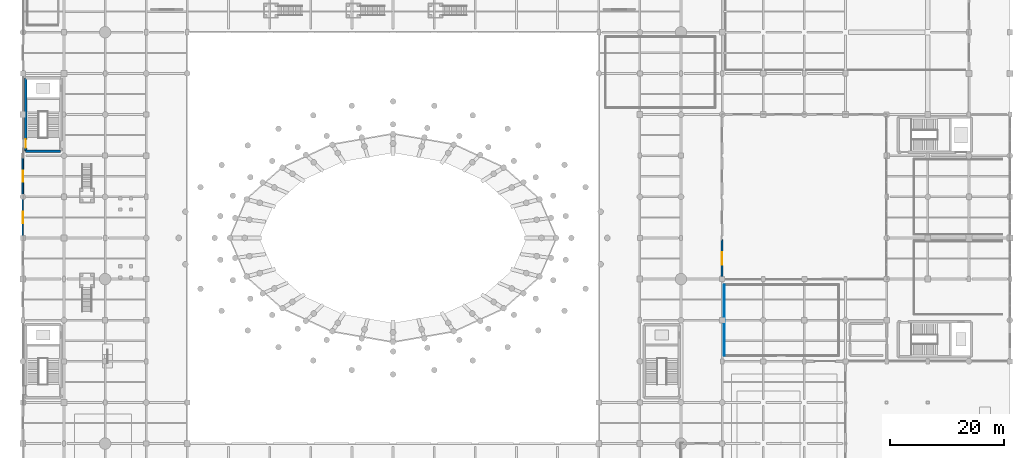
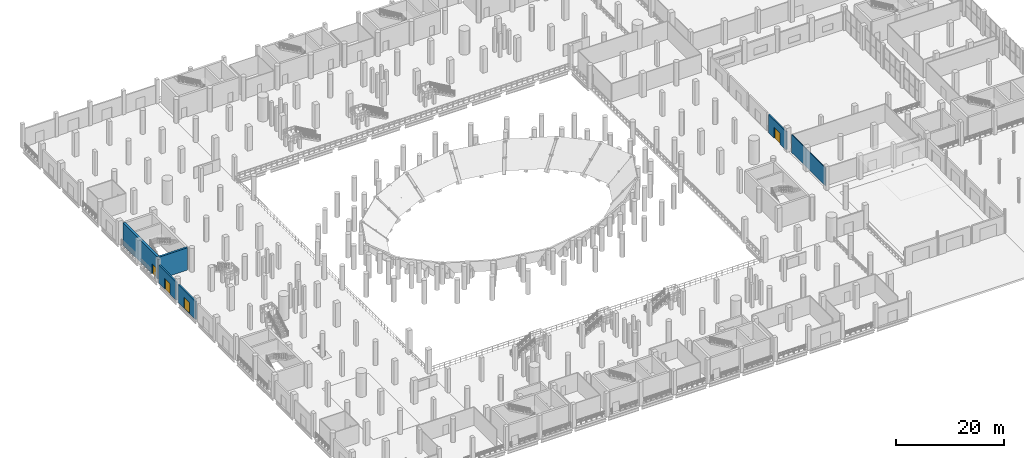
# One storey, part 35 of 58: 6 walls, 4 doors, 4 openings.
"""IFC4 building model written with IfcOpenShell, lengths in metres."""

from ifc_helpers import new_model, si_unit, direction, frame, frame_2d, origin, place, context, subcontext, project, spatial, rectangle, extrude, material, layer, layer_set, type_object, element, fill, save


model = new_model("IFC4")

# Units and contexts
model_context = context("Model", 3, precision=1e-05, world=origin(), true_north=direction((0.0, 1.0)))
body_context = subcontext(model_context, "Body", "Model", "MODEL_VIEW")
ifc_project = project(units=[si_unit("LENGTHUNIT", "METRE"), si_unit("AREAUNIT", "SQUARE_METRE"), si_unit("VOLUMEUNIT", "CUBIC_METRE"), si_unit("PLANEANGLEUNIT", "RADIAN"), si_unit("MASSUNIT", "GRAM", prefix="KILO")], contexts=[model_context])

# Site, building, storey
site_placement = place(None, origin())
site = spatial("IfcSite", under=ifc_project, at=site_placement, CompositionType="ELEMENT")
building_placement = place(site_placement, origin())
building = spatial("IfcBuilding", under=site, at=building_placement, Name="Qandorah Velis Arena", CompositionType="ELEMENT")
storey_placement = place(building_placement, origin())
storey = spatial("IfcBuildingStorey", under=building, at=storey_placement, Name="L00", CompositionType="ELEMENT", Elevation=0.0)

# Wall, opening, door
ifc_material_1 = material(Name="Precast concrete C40/50", Category="concrete")
ifc_layer_1 = layer(ifc_material_1, 0.2900390625)
ifc_layer_set_1 = layer_set([ifc_layer_1], Name="Precast concrete C40/50")
wall_type_1 = type_object("IfcWallType", Name="ARC-WAL-EXT290", PredefinedType="SOLIDWALL", material=ifc_layer_set_1)
wall_1_placement = place(storey_placement, frame((0.0, 65.14990234375, 0.0), z_axis=(0.0, 0.0, 1.0), x_axis=(0.0, 1.0, 0.0)))
wall_1 = element("IfcWall", 1, at=wall_1_placement, inside=storey, type_object=wall_type_1, Name="Perimeter concourse exit wall G07", PredefinedType="SOLIDWALL", context=body_context, shape_type="SweptSolid", body=[
    extrude(rectangle(XDim=6.5, YDim=0.2900390625, at=frame_2d((3.25, 0.0))), origin(), (0.0, 0.0, 1.0), 4.10009765625),
])
opening_1_placement = place(wall_1_placement, frame((2.25, 0.0, 0.0)))
opening_1 = element("IfcOpeningElement", 2, at=opening_1_placement, cuts=wall_1, Name="Opening G7", PredefinedType="OPENING", context=body_context, shape_type="SweptSolid", body=[
    extrude(rectangle(XDim=2.0, YDim=2.449951171875, at=frame_2d((1.0, 1.22509765625))), frame((0.0, 0.155029296875, 0.0), z_axis=(0.0, -1.0, 0.0), x_axis=(1.0, 0.0, 0.0)), (0.0, 0.0, 1.0), 0.31005859375),
])
ifc_material_2 = material(Name="Insulated galvanized steel exit door", Category="steel")
door_type_1 = type_object("IfcDoorType", Name="ARC-DR-EXT2000", OperationType="NOTDEFINED", PredefinedType="DOOR", material=ifc_material_2)
door_1_placement = place(opening_1_placement, origin())
door_1 = element("IfcDoor", 3, at=door_1_placement, inside=storey, type_object=door_type_1, Name="Pedestrian exit door G7", OperationType="SINGLE_SWING_RIGHT", OverallHeight=2.449951171875, OverallWidth=2.0, PredefinedType="DOOR", context=body_context, shape_type="SweptSolid", body=[
    extrude(rectangle(XDim=2.0, YDim=2.449951171875, at=frame_2d((1.0, 1.22509765625))), frame((0.0, 0.02490234375, 0.0), z_axis=(0.0, -1.0, 0.0), x_axis=(1.0, 0.0, 0.0)), (0.0, 0.0, 1.0), 0.050048828125),
])
fill(opening_1, door_1)

ifc_layer_2 = layer(ifc_material_1, 0.31005859375)
ifc_layer_set_2 = layer_set([ifc_layer_2], Name="Precast concrete C40/50")
wall_type_2 = type_object("IfcWallType", Name="ARC-WAL-EXT310", PredefinedType="SOLIDWALL", material=ifc_layer_set_2)
wall_2_placement = place(storey_placement, frame((0.0, 72.35009765625, 0.0), z_axis=(0.0, 0.0, 1.0), x_axis=(0.0, 1.0, 0.0)))
wall_2 = element("IfcWall", 4, at=wall_2_placement, inside=storey, type_object=wall_type_2, Name="Perimeter concourse exit wall G08", PredefinedType="SOLIDWALL", context=body_context, shape_type="SweptSolid", body=[
    extrude(rectangle(XDim=6.5, YDim=0.31005859375, at=frame_2d((3.25, 0.0))), origin(), (0.0, 0.0, 1.0), 4.10009765625),
])
opening_2_placement = place(wall_2_placement, frame((2.300048828125, 0.0, 0.0)))
opening_2 = element("IfcOpeningElement", 5, at=opening_2_placement, cuts=wall_2, Name="Opening G8", PredefinedType="OPENING", context=body_context, shape_type="SweptSolid", body=[
    extrude(rectangle(XDim=1.89990234375, YDim=2.39990234375, at=frame_2d((0.949951171875, 1.199951171875))), frame((0.0, 0.1650390625, 0.0), z_axis=(0.0, -1.0, 0.0), x_axis=(1.0, 0.0, 0.0)), (0.0, 0.0, 1.0), 0.330078125),
])
door_type_2 = type_object("IfcDoorType", Name="ARC-DR-EXT1900", OperationType="NOTDEFINED", PredefinedType="DOOR", material=ifc_material_2)
door_2_placement = place(opening_2_placement, origin())
door_2 = element("IfcDoor", 6, at=door_2_placement, inside=storey, type_object=door_type_2, Name="Pedestrian exit door G8", OperationType="SINGLE_SWING_LEFT", OverallHeight=2.39990234375, OverallWidth=1.89990234375, PredefinedType="DOOR", context=body_context, shape_type="SweptSolid", body=[
    extrude(rectangle(XDim=1.89990234375, YDim=2.39990234375, at=frame_2d((0.949951171875, 1.199951171875))), frame((0.0, 0.02490234375, 0.0), z_axis=(0.0, -1.0, 0.0), x_axis=(1.0, 0.0, 0.0)), (0.0, 0.0, 1.0), 0.050048828125),
])
fill(opening_2, door_2)

wall_3_placement = place(storey_placement, frame((122.39990234375, 57.949951171875, 0.0), z_axis=(0.0, 0.0, 1.0), x_axis=(0.0, 1.0, 0.0)))
wall_3 = element("IfcWall", 7, at=wall_3_placement, inside=storey, type_object=wall_type_2, Name="Perimeter concourse exit wall G22", PredefinedType="SOLIDWALL", context=body_context, shape_type="SweptSolid", body=[
    extrude(rectangle(XDim=6.5, YDim=0.31005859375, at=frame_2d((3.25, 0.0))), origin(), (0.0, 0.0, 1.0), 4.10009765625),
])
opening_3_placement = place(wall_3_placement, frame((2.14990234375, 0.0, 0.0)))
opening_3 = element("IfcOpeningElement", 8, at=opening_3_placement, cuts=wall_3, Name="Opening G22", PredefinedType="OPENING", context=body_context, shape_type="SweptSolid", body=[
    extrude(rectangle(XDim=2.199951171875, YDim=2.5, at=frame_2d((1.10009765625, 1.25))), frame((0.0, 0.1650390625, 0.0), z_axis=(0.0, -1.0, 0.0), x_axis=(1.0, 0.0, 0.0)), (0.0, 0.0, 1.0), 0.330078125),
])
door_type_3 = type_object("IfcDoorType", Name="ARC-DR-EXT2200", OperationType="NOTDEFINED", PredefinedType="DOOR", material=ifc_material_2)
door_3_placement = place(opening_3_placement, frame((2.199951171875, 0.0, 0.0), z_axis=(0.0, 0.0, 1.0), x_axis=(-1.0, 0.0, 0.0)))
door_3 = element("IfcDoor", 9, at=door_3_placement, inside=storey, type_object=door_type_3, Name="Pedestrian exit door G22", OperationType="SINGLE_SWING_LEFT", OverallHeight=2.5, OverallWidth=2.199951171875, PredefinedType="DOOR", context=body_context, shape_type="SweptSolid", body=[
    extrude(rectangle(XDim=2.199951171875, YDim=2.5, at=frame_2d((1.10009765625, 1.25))), frame((0.0, 0.02490234375, 0.0), z_axis=(0.0, -1.0, 0.0), x_axis=(1.0, 0.0, 0.0)), (0.0, 0.0, 1.0), 0.050048828125),
])
fill(opening_3, door_3)

# Walls
ifc_material_3 = material(Name="Concrete C35/45", Category="concrete")
ifc_layer_3 = layer(ifc_material_3, 0.14990234375)
ifc_layer_set_3 = layer_set([ifc_layer_3], Name="Concrete C35/45")
wall_type_3 = type_object("IfcWallType", Name="ARC-WAL-PART150", PredefinedType="PARTITIONING", material=ifc_layer_set_3)
wall_4_placement = place(storey_placement, frame((122.800048828125, 56.60009765625, 0.0), z_axis=(0.0, 0.0, 1.0), x_axis=(0.0, -1.0, 0.0)))
element("IfcWall", 10, at=wall_4_placement, inside=storey, type_object=wall_type_3, Name="Interior partition L00-TCK (W)", PredefinedType="PARTITIONING", context=body_context, shape_type="SweptSolid", body=[
    extrude(rectangle(XDim=12.400146484375, YDim=0.14990234375, at=frame_2d((6.2001953125, 0.0))), origin(), (0.0, 0.0, 1.0), 4.10009765625),
])
ifc_material_4 = material(Name="Concrete C40/50", Category="concrete")
ifc_layer_4 = layer(ifc_material_4, 0.449951171875)
ifc_layer_set_4 = layer_set([ifc_layer_4], Name="Concrete C40/50")
wall_type_4 = type_object("IfcWallType", Name="STR-WAL-CORE450", PredefinedType="SHEAR", material=ifc_layer_set_4)
wall_5_placement = place(storey_placement, frame((0.5, 80.0, 0.0), z_axis=(0.0, 0.0, 1.0), x_axis=(1.0, 0.0, 0.0)))
element("IfcWall", 11, at=wall_5_placement, inside=storey, type_object=wall_type_4, Name="Core CORE-06 shear wall S (L00)", PredefinedType="SHEAR", context=body_context, shape_type="SweptSolid", body=[
    extrude(rectangle(XDim=6.10009765625, YDim=0.449951171875, at=frame_2d((3.050048828125, 0.0))), origin(), (0.0, 0.0, 1.0), 5.06005859375),
])

# Wall, opening, door
wall_6_placement = place(storey_placement, frame((0.5, 80.0, 0.0), z_axis=(0.0, 0.0, 1.0), x_axis=(0.0, 1.0, 0.0)))
wall_6 = element("IfcWall", 12, at=wall_6_placement, inside=storey, type_object=wall_type_4, Name="Core CORE-06 shear wall W (L00)", PredefinedType="SHEAR", context=body_context, shape_type="SweptSolid", body=[
    extrude(rectangle(XDim=12.800048828125, YDim=0.449951171875, at=frame_2d((6.39990234375, 0.0))), origin(), (0.0, 0.0, 1.0), 5.06005859375),
])
opening_4_placement = place(wall_6_placement, frame((0.550048828125, 0.0, 0.0)))
opening_4 = element("IfcOpeningElement", 13, at=opening_4_placement, cuts=wall_6, Name="Opening SD2", PredefinedType="OPENING", context=body_context, shape_type="SweptSolid", body=[
    extrude(rectangle(XDim=1.5, YDim=2.25, at=frame_2d((0.75, 1.125))), frame((0.0, 0.23486328125, 0.0), z_axis=(0.0, -1.0, 0.0), x_axis=(1.0, 0.0, 0.0)), (0.0, 0.0, 1.0), 0.469970703125),
])
ifc_material_5 = material(Name="Self-closing fire-rated stair exit door")
door_type_4 = type_object("IfcDoorType", Name="ARC-DR-ST1500", OperationType="NOTDEFINED", PredefinedType="DOOR", material=ifc_material_5)
door_4_placement = place(opening_4_placement, origin())
door_4 = element("IfcDoor", 14, at=door_4_placement, inside=storey, type_object=door_type_4, Name="Stair ST6 final exit discharge door", OperationType="SINGLE_SWING_LEFT", OverallHeight=2.25, OverallWidth=1.5, PredefinedType="DOOR", context=body_context, shape_type="SweptSolid", body=[
    extrude(rectangle(XDim=1.5, YDim=2.25, at=frame_2d((0.75, 1.125))), frame((0.0, 0.02490234375, 0.0), z_axis=(0.0, -1.0, 0.0), x_axis=(1.0, 0.0, 0.0)), (0.0, 0.0, 1.0), 0.050048828125),
])
fill(opening_4, door_4)

save(model, "model.ifc")
